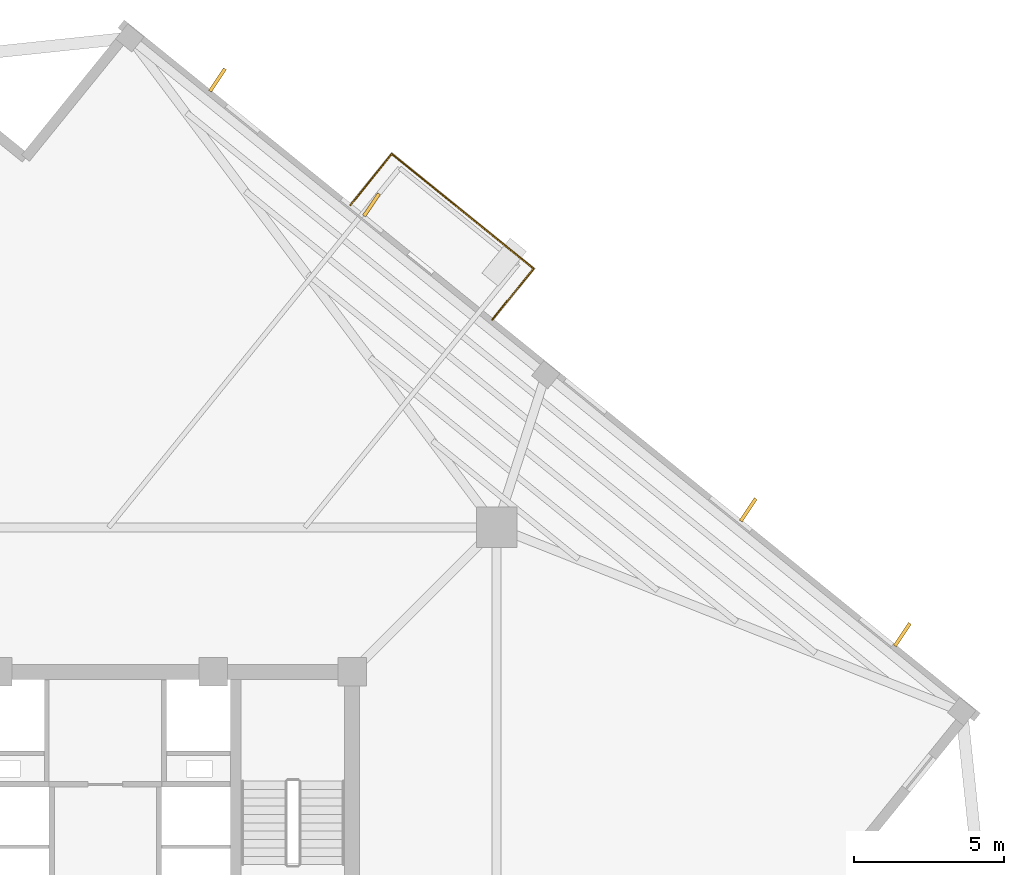
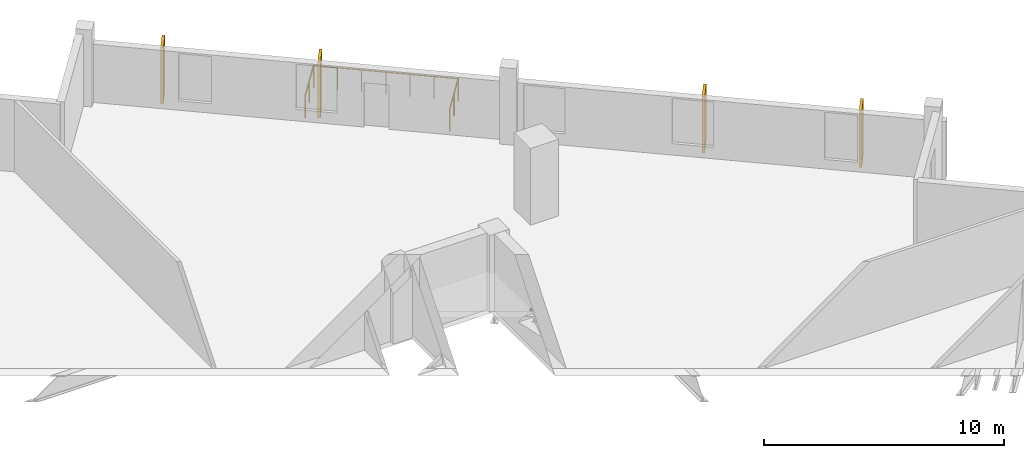
# One storey, part 10 of 10: 4 coverings, 3 railings.
"""IFC4 building model written with IfcOpenShell, lengths in metres."""

from ifc_helpers import new_model, si_unit, direction, frame, origin, origin_2d, place, context, subcontext, project, spatial, rectangle, circle, extrude, source, transform, mapped, material, layer, layer_set, type_object, element, save


model = new_model("IFC4")

# Units and contexts
model_context = context("Model", 3, precision=1e-05, world=origin(), true_north=direction((0.0, 1.0)))
body_context = subcontext(model_context, "Body", "Model", "MODEL_VIEW")
ifc_project = project(units=[si_unit("LENGTHUNIT", "METRE"), si_unit("AREAUNIT", "SQUARE_METRE"), si_unit("VOLUMEUNIT", "CUBIC_METRE"), si_unit("PLANEANGLEUNIT", "RADIAN"), si_unit("MASSUNIT", "GRAM", prefix="KILO"), si_unit("THERMODYNAMICTEMPERATUREUNIT", "KELVIN")], contexts=[model_context])

# Site, building, storey
site_placement = place(None, origin())
site = spatial("IfcSite", under=ifc_project, at=site_placement, CompositionType="ELEMENT")
building_placement = place(site_placement, origin())
building = spatial("IfcBuilding", under=site, at=building_placement, Name="Kosmvard Interchange Tower", CompositionType="ELEMENT")
storey_placement = place(building_placement, frame((0.0, 0.0, 217.300048828125)))
storey = spatial("IfcBuildingStorey", under=building, at=storey_placement, Name="L52", CompositionType="ELEMENT", Elevation=217.300048828125)

# Coverings
ifc_material_1 = material(Name="Architectural anodised aluminium", Category="aluminium")
ifc_layer = layer(ifc_material_1, 0.1201171875, Name="Architectural anodised aluminium")
ifc_layer_set = layer_set([ifc_layer], Name="Architectural anodised aluminium")
covering_type = type_object("IfcCoveringType", Name="Rotating Vertical Sun-Breaker Fin 900x120 Aluminium", PredefinedType="CLADDING", material=ifc_layer_set)
shared_shape_1 = source(origin(), body_context, "Body", "SweptSolid", [
    extrude(rectangle(XDim=0.89990234375, YDim=0.1201171875, at=origin_2d()), origin(), (0.0, 0.0, 1.0), 2.8798828125),
])
for number, where, z_axis, x_axis, name in (
    (1, (26.650146484375, 9.494384765625, 0.0400390625), (0.0, 0.0, 1.0), (0.556585649903, 0.83079023485, 0.0), "L52 Rotating Vertical Sun-Breaker Fin 05"),
    (2, (21.49658203125, 13.66748046875, 0.0400390625), (0.0, 0.0, 1.0), (0.556585649903, 0.83079023485, 0.0), "L52 Rotating Vertical Sun-Breaker Fin 06"),
    (3, (8.8994140625, 23.86865234375, 0.0400390625), (0.0, 0.0, 1.0), (0.556585649903, 0.83079023485, 0.0), "L52 Rotating Vertical Sun-Breaker Fin 07"),
    (4, (3.74609375, 28.041748046875, 0.0400390625), (0.0, 0.0, 1.0), (0.556585649903, 0.83079023485, 0.0), "L52 Rotating Vertical Sun-Breaker Fin 08"),
):
    element("IfcCovering", number, at=place(storey_placement, frame(where, z_axis=z_axis, x_axis=x_axis)), inside=storey, type_object=covering_type, Name=name, PredefinedType="CLADDING", context=body_context, shape_type="MappedRepresentation", body=[
        mapped(shared_shape_1, transform((0.0, 0.0, 0.0), scale=1.0)),
    ])

# Railings
ifc_material_2 = material(Name="Steel S355", Category="steel")
railing_type = type_object("IfcRailingType", Name="Observation & Balcony Glass-Infill Balustrade 1150", PredefinedType="BALUSTRADE", material=ifc_material_2)
shared_shape_2 = source(origin(), body_context, "Body", "SweptSolid", [
    extrude(circle(Radius=0.02392578125, at=origin_2d()), frame((0.0, 0.0, 1.1259765625), z_axis=(0.629325914736, 0.777141488432, 0.0), x_axis=(-0.777141488432, 0.629325914736, 0.0)), (0.0, 0.0, 1.0), 2.199951171875),
    extrude(circle(Radius=0.02099609375, at=origin_2d()), origin(), (0.0, 0.0, 1.0), 1.101806640625),
    extrude(circle(Radius=0.02099609375, at=origin_2d()), frame((0.6923828125, 0.85498046875, 0.0)), (0.0, 0.0, 1.0), 1.101806640625),
    extrude(circle(Radius=0.02099609375, at=origin_2d()), frame((1.384521484375, 1.709716796875, 0.0)), (0.0, 0.0, 1.0), 1.101806640625),
])
railing_1_placement = place(storey_placement, frame((12.93310546875, 20.023193359375, 0.0)))
element("IfcRailing", 5, at=railing_1_placement, inside=storey, type_object=railing_type, Name="L52 Outdoor Terrace Guard BAL-L52-E-A", PredefinedType="BALUSTRADE", context=body_context, shape_type="MappedRepresentation", body=[
    mapped(shared_shape_2, transform((0.0, 0.0, 0.0), scale=1.0)),
])
shared_shape_3 = source(origin(), body_context, "Body", "SweptSolid", [
    extrude(circle(Radius=0.02392578125, at=origin_2d()), frame((0.0, 0.0, 1.1259765625), z_axis=(-0.777137673017, 0.629330626282, 0.0), x_axis=(-0.629330626282, -0.777137673017, 0.0)), (0.0, 0.0, 1.0), 6.099853515625),
    extrude(circle(Radius=0.02099609375, at=origin_2d()), origin(), (0.0, 0.0, 1.0), 1.101806640625),
    extrude(circle(Radius=0.02099609375, at=origin_2d()), frame((-0.7900390625, 0.639892578125, 0.0)), (0.0, 0.0, 1.0), 1.101806640625),
    extrude(circle(Radius=0.02099609375, at=origin_2d()), frame((-1.580078125, 1.279541015625, 0.0)), (0.0, 0.0, 1.0), 1.101806640625),
    extrude(circle(Radius=0.02099609375, at=origin_2d()), frame((-2.3701171875, 1.91943359375, 0.0)), (0.0, 0.0, 1.0), 1.101806640625),
    extrude(circle(Radius=0.02099609375, at=origin_2d()), frame((-3.160400390625, 2.559326171875, 0.0)), (0.0, 0.0, 1.0), 1.101806640625),
    extrude(circle(Radius=0.02099609375, at=origin_2d()), frame((-3.950439453125, 3.198974609375, 0.0)), (0.0, 0.0, 1.0), 1.101806640625),
    extrude(circle(Radius=0.02099609375, at=origin_2d()), frame((-4.740478515625, 3.8388671875, 0.0)), (0.0, 0.0, 1.0), 1.101806640625),
])
railing_2_placement = place(storey_placement, frame((14.317626953125, 21.73291015625, 0.0)))
element("IfcRailing", 6, at=railing_2_placement, inside=storey, type_object=railing_type, Name="L52 Outdoor Terrace Guard BAL-L52-E-B", PredefinedType="BALUSTRADE", context=body_context, shape_type="MappedRepresentation", body=[
    mapped(shared_shape_3, transform((0.0, 0.0, 0.0), scale=1.0)),
])
shared_shape_4 = source(origin(), body_context, "Body", "SweptSolid", [
    extrude(circle(Radius=0.02392578125, at=origin_2d()), frame((0.0, 0.0, 1.1259765625), z_axis=(-0.629325914736, -0.777141488432, 0.0), x_axis=(0.777141488432, -0.629325914736, 0.0)), (0.0, 0.0, 1.0), 2.199951171875),
    extrude(circle(Radius=0.02099609375, at=origin_2d()), origin(), (0.0, 0.0, 1.0), 1.101806640625),
    extrude(circle(Radius=0.02099609375, at=origin_2d()), frame((-0.6923828125, -0.85498046875, 0.0)), (0.0, 0.0, 1.0), 1.101806640625),
    extrude(circle(Radius=0.02099609375, at=origin_2d()), frame((-1.384521484375, -1.709716796875, 0.0)), (0.0, 0.0, 1.0), 1.101806640625),
])
railing_3_placement = place(storey_placement, frame((9.5771484375, 25.57177734375, 0.0)))
element("IfcRailing", 7, at=railing_3_placement, inside=storey, type_object=railing_type, Name="L52 Outdoor Terrace Guard BAL-L52-E-C", PredefinedType="BALUSTRADE", context=body_context, shape_type="MappedRepresentation", body=[
    mapped(shared_shape_4, transform((0.0, 0.0, 0.0), scale=1.0)),
])

save(model, "model.ifc")
